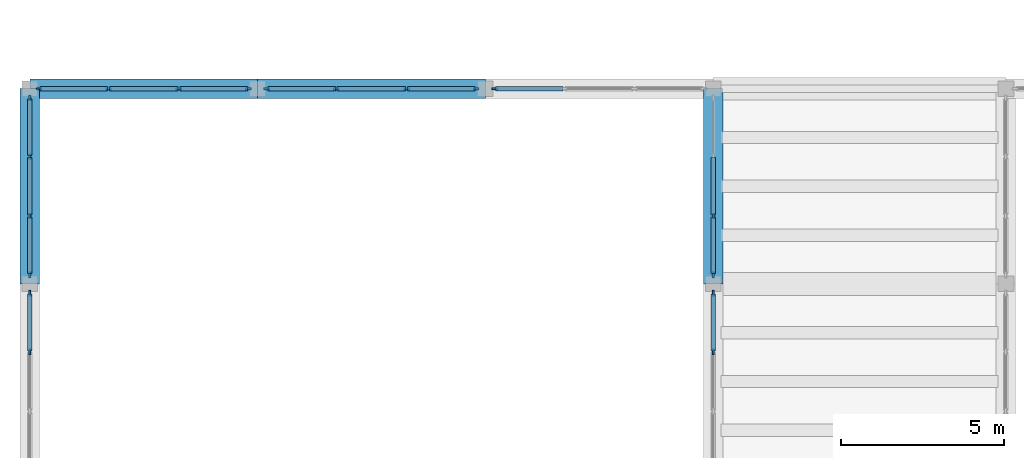
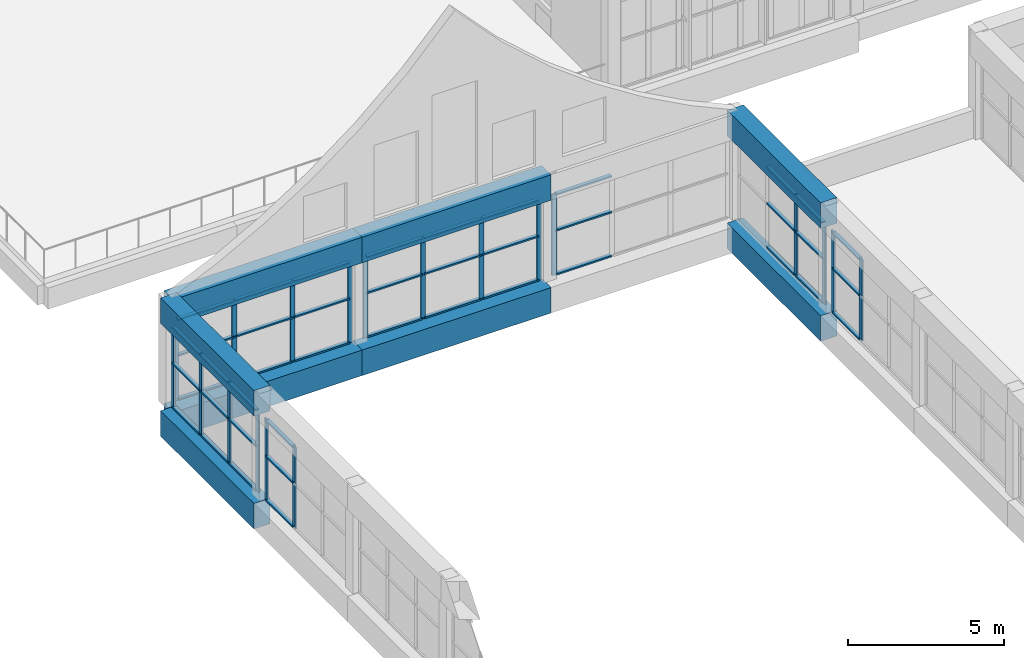
# One storey, part 22 of 70: 61 members, 8 beams, 7 elements without a shape of their own.
"""IFC4 building model written with IfcOpenShell, lengths in metres."""

from ifc_helpers import new_model, si_unit, direction, frame, origin, origin_2d, place, context, subcontext, project, spatial, rectangle, extrude, material, layer, layer_set, material_profile, profile_set, type_object, element, aggregate, save


model = new_model("IFC4")

# Units and contexts
model_context = context("Model", 3, precision=1e-05, world=origin(), true_north=direction((0.0, 1.0)))
body_context = subcontext(model_context, "Body", "Model", "MODEL_VIEW")
ifc_project = project(units=[si_unit("LENGTHUNIT", "METRE"), si_unit("AREAUNIT", "SQUARE_METRE"), si_unit("VOLUMEUNIT", "CUBIC_METRE"), si_unit("PLANEANGLEUNIT", "RADIAN"), si_unit("MASSUNIT", "GRAM", prefix="KILO")], contexts=[model_context])

# Site, building, storey
site_placement = place(None, origin())
site = spatial("IfcSite", under=ifc_project, at=site_placement, CompositionType="ELEMENT")
building_placement = place(site_placement, origin())
building = spatial("IfcBuilding", under=site, at=building_placement, Name="Solvane Community Centre", CompositionType="ELEMENT")
storey_placement = place(building_placement, frame((0.0, 0.0, 9.60009765625)))
storey = spatial("IfcBuildingStorey", under=building, at=storey_placement, Name="L02", CompositionType="ELEMENT", Elevation=9.60009765625)

# Curtain wall, members
ifc_material_1 = material(Name="Anodised bronze aluminium AW-6063 T6", Category="aluminium")
ifc_layer_1 = layer(ifc_material_1, 0.179931640625)
ifc_layer_set_1 = layer_set([ifc_layer_1], Name="Anodised bronze aluminium AW-6063 T6")
curtain_wall_type_1 = type_object("IfcCurtainWallType", Name="Hall Translucent Upper Curtain Wall [55x32dm]", PredefinedType="NOTDEFINED", material=ifc_layer_set_1)
curtain_wall_1_placement = place(storey_placement, origin())
curtain_wall_1 = element("IfcCurtainWall", 1, at=curtain_wall_1_placement, inside=storey, type_object=curtain_wall_type_1, Name="Curtain Wall CW-L02-60_777-166", PredefinedType="NOTDEFINED")
ifc_material_profile_1 = material_profile(ifc_material_1, rectangle(XDim=0.06005859375, YDim=0.179931640625, at=origin_2d()), Name="CW-M 60x180")
ifc_profile_set_1 = profile_set([ifc_material_profile_1], Name="Anodised bronze aluminium AW-6063 T6")
member_type_1 = type_object("IfcMemberType", Name="Hall Mullion 60x180", PredefinedType="MULLION", material=ifc_profile_set_1)
member_1_placement = place(storey_placement, frame((6.0, 77.715087890625, 0.0), z_axis=(0.0, 0.0, 1.0), x_axis=(1.0, 0.0, 0.0)))
member_1 = element("IfcMember", 2, at=member_1_placement, type_object=member_type_1, Name="CW01-55x32 mullion 1", PredefinedType="MULLION", context=body_context, shape_type="SweptSolid", body=[
    extrude(rectangle(XDim=0.06005859375, YDim=0.179931640625, at=origin_2d()), origin(), (0.0, 0.0, 1.0), 3.184814453125),
])
member_2_placement = place(storey_placement, frame((6.0, 75.9150390625, 0.0), z_axis=(0.0, 0.0, 1.0), x_axis=(1.0, 0.0, 0.0)))
member_2 = element("IfcMember", 3, at=member_2_placement, type_object=member_type_1, Name="CW01-55x32 mullion 2", PredefinedType="MULLION", context=body_context, shape_type="SweptSolid", body=[
    extrude(rectangle(XDim=0.06005859375, YDim=0.179931640625, at=origin_2d()), origin(), (0.0, 0.0, 1.0), 3.184814453125),
])
member_3_placement = place(storey_placement, frame((6.0, 74.0849609375, 0.0), z_axis=(0.0, 0.0, 1.0), x_axis=(1.0, 0.0, 0.0)))
member_3 = element("IfcMember", 4, at=member_3_placement, type_object=member_type_1, Name="CW01-55x32 mullion 3", PredefinedType="MULLION", context=body_context, shape_type="SweptSolid", body=[
    extrude(rectangle(XDim=0.06005859375, YDim=0.179931640625, at=origin_2d()), origin(), (0.0, 0.0, 1.0), 3.184814453125),
])
member_4_placement = place(storey_placement, frame((6.0, 72.284912109375, 0.0), z_axis=(0.0, 0.0, 1.0), x_axis=(1.0, 0.0, 0.0)))
member_4 = element("IfcMember", 5, at=member_4_placement, type_object=member_type_1, Name="CW01-55x32 mullion 4", PredefinedType="MULLION", context=body_context, shape_type="SweptSolid", body=[
    extrude(rectangle(XDim=0.06005859375, YDim=0.179931640625, at=origin_2d()), origin(), (0.0, 0.0, 1.0), 3.184814453125),
])

curtain_wall_2_placement = place(storey_placement, origin())
curtain_wall_2 = element("IfcCurtainWall", 6, at=curtain_wall_2_placement, inside=storey, type_object=curtain_wall_type_1, Name="Curtain Wall CW-L02-60_717-167", PredefinedType="NOTDEFINED")
member_5_placement = place(storey_placement, frame((6.0, 71.715087890625, 0.0), z_axis=(0.0, 0.0, 1.0), x_axis=(1.0, 0.0, 0.0)))
member_5 = element("IfcMember", 7, at=member_5_placement, type_object=member_type_1, Name="CW01-55x32 mullion 1", PredefinedType="MULLION", context=body_context, shape_type="SweptSolid", body=[
    extrude(rectangle(XDim=0.06005859375, YDim=0.179931640625, at=origin_2d()), origin(), (0.0, 0.0, 1.0), 3.184814453125),
])
member_6_placement = place(storey_placement, frame((6.0, 69.9150390625, 0.0), z_axis=(0.0, 0.0, 1.0), x_axis=(1.0, 0.0, 0.0)))
member_6 = element("IfcMember", 8, at=member_6_placement, type_object=member_type_1, Name="CW01-55x32 mullion 2", PredefinedType="MULLION", context=body_context, shape_type="SweptSolid", body=[
    extrude(rectangle(XDim=0.06005859375, YDim=0.179931640625, at=origin_2d()), origin(), (0.0, 0.0, 1.0), 3.184814453125),
])

curtain_wall_3_placement = place(storey_placement, origin())
curtain_wall_3 = element("IfcCurtainWall", 9, at=curtain_wall_3_placement, inside=storey, type_object=curtain_wall_type_1, Name="Curtain Wall CW-L02-270_663-176", PredefinedType="NOTDEFINED")
member_7_placement = place(storey_placement, frame((27.0, 69.9150390625, 0.0), z_axis=(0.0, 0.0, 1.0), x_axis=(-1.0, 0.0, 0.0)))
member_7 = element("IfcMember", 10, at=member_7_placement, type_object=member_type_1, Name="CW01-55x32 mullion 3", PredefinedType="MULLION", context=body_context, shape_type="SweptSolid", body=[
    extrude(rectangle(XDim=0.06005859375, YDim=0.179931640625, at=origin_2d()), origin(), (0.0, 0.0, 1.0), 3.184814453125),
])
member_8_placement = place(storey_placement, frame((27.0, 71.715087890625, 0.0), z_axis=(0.0, 0.0, 1.0), x_axis=(-1.0, 0.0, 0.0)))
member_8 = element("IfcMember", 11, at=member_8_placement, type_object=member_type_1, Name="CW01-55x32 mullion 4", PredefinedType="MULLION", context=body_context, shape_type="SweptSolid", body=[
    extrude(rectangle(XDim=0.06005859375, YDim=0.179931640625, at=origin_2d()), origin(), (0.0, 0.0, 1.0), 3.184814453125),
])

curtain_wall_4_placement = place(storey_placement, origin())
curtain_wall_4 = element("IfcCurtainWall", 12, at=curtain_wall_4_placement, inside=storey, type_object=curtain_wall_type_1, Name="Curtain Wall CW-L02-270_723-177", PredefinedType="NOTDEFINED")
member_9_placement = place(storey_placement, frame((27.0, 72.284912109375, 0.0), z_axis=(0.0, 0.0, 1.0), x_axis=(-1.0, 0.0, 0.0)))
member_9 = element("IfcMember", 13, at=member_9_placement, type_object=member_type_1, Name="CW01-55x32 mullion 1", PredefinedType="MULLION", context=body_context, shape_type="SweptSolid", body=[
    extrude(rectangle(XDim=0.06005859375, YDim=0.179931640625, at=origin_2d()), origin(), (0.0, 0.0, 1.0), 3.184814453125),
])
member_10_placement = place(storey_placement, frame((27.0, 74.0849609375, 0.0), z_axis=(0.0, 0.0, 1.0), x_axis=(-1.0, 0.0, 0.0)))
member_10 = element("IfcMember", 14, at=member_10_placement, type_object=member_type_1, Name="CW01-55x32 mullion 2", PredefinedType="MULLION", context=body_context, shape_type="SweptSolid", body=[
    extrude(rectangle(XDim=0.06005859375, YDim=0.179931640625, at=origin_2d()), origin(), (0.0, 0.0, 1.0), 3.184814453125),
])

ifc_layer_2 = layer(ifc_material_1, 0.179931640625)
ifc_layer_set_2 = layer_set([ifc_layer_2], Name="Anodised bronze aluminium AW-6063 T6")
curtain_wall_type_2 = type_object("IfcCurtainWallType", Name="Hall Translucent Upper Curtain Wall [65x32dm]", PredefinedType="NOTDEFINED", material=ifc_layer_set_2)
curtain_wall_5_placement = place(storey_placement, origin())
curtain_wall_5 = element("IfcCurtainWall", 15, at=curtain_wall_5_placement, inside=storey, type_object=curtain_wall_type_2, Name="Curtain Wall CW-L02-63_780-181", PredefinedType="NOTDEFINED")
member_11_placement = place(storey_placement, frame((6.284912109375, 78.0, 0.0), z_axis=(0.0, 0.0, 1.0), x_axis=(0.0, 1.0, 0.0)))
member_11 = element("IfcMember", 16, at=member_11_placement, type_object=member_type_1, Name="CW01-65x32 mullion 1", PredefinedType="MULLION", context=body_context, shape_type="SweptSolid", body=[
    extrude(rectangle(XDim=0.06005859375, YDim=0.179931640625, at=origin_2d()), origin(), (0.0, 0.0, 1.0), 3.184814453125),
])
member_12_placement = place(storey_placement, frame((8.418212890625, 78.0, 0.0), z_axis=(0.0, 0.0, 1.0), x_axis=(0.0, 1.0, 0.0)))
member_12 = element("IfcMember", 17, at=member_12_placement, type_object=member_type_1, Name="CW01-65x32 mullion 2", PredefinedType="MULLION", context=body_context, shape_type="SweptSolid", body=[
    extrude(rectangle(XDim=0.06005859375, YDim=0.179931640625, at=origin_2d()), origin(), (0.0, 0.0, 1.0), 3.184814453125),
])
member_13_placement = place(storey_placement, frame((10.581787109375, 78.0, 0.0), z_axis=(0.0, 0.0, 1.0), x_axis=(0.0, 1.0, 0.0)))
member_13 = element("IfcMember", 18, at=member_13_placement, type_object=member_type_1, Name="CW01-65x32 mullion 3", PredefinedType="MULLION", context=body_context, shape_type="SweptSolid", body=[
    extrude(rectangle(XDim=0.06005859375, YDim=0.179931640625, at=origin_2d()), origin(), (0.0, 0.0, 1.0), 3.184814453125),
])
member_14_placement = place(storey_placement, frame((12.715087890625, 78.0, 0.0), z_axis=(0.0, 0.0, 1.0), x_axis=(0.0, 1.0, 0.0)))
member_14 = element("IfcMember", 19, at=member_14_placement, type_object=member_type_1, Name="CW01-65x32 mullion 4", PredefinedType="MULLION", context=body_context, shape_type="SweptSolid", body=[
    extrude(rectangle(XDim=0.06005859375, YDim=0.179931640625, at=origin_2d()), origin(), (0.0, 0.0, 1.0), 3.184814453125),
])

curtain_wall_6_placement = place(storey_placement, origin())
curtain_wall_6 = element("IfcCurtainWall", 20, at=curtain_wall_6_placement, inside=storey, type_object=curtain_wall_type_2, Name="Curtain Wall CW-L02-133_780-182", PredefinedType="NOTDEFINED")
member_15_placement = place(storey_placement, frame((13.284912109375, 78.0, 0.0), z_axis=(0.0, 0.0, 1.0), x_axis=(0.0, 1.0, 0.0)))
member_15 = element("IfcMember", 21, at=member_15_placement, type_object=member_type_1, Name="CW01-65x32 mullion 1", PredefinedType="MULLION", context=body_context, shape_type="SweptSolid", body=[
    extrude(rectangle(XDim=0.06005859375, YDim=0.179931640625, at=origin_2d()), origin(), (0.0, 0.0, 1.0), 3.184814453125),
])
member_16_placement = place(storey_placement, frame((15.418212890625, 78.0, 0.0), z_axis=(0.0, 0.0, 1.0), x_axis=(0.0, 1.0, 0.0)))
member_16 = element("IfcMember", 22, at=member_16_placement, type_object=member_type_1, Name="CW01-65x32 mullion 2", PredefinedType="MULLION", context=body_context, shape_type="SweptSolid", body=[
    extrude(rectangle(XDim=0.06005859375, YDim=0.179931640625, at=origin_2d()), origin(), (0.0, 0.0, 1.0), 3.184814453125),
])
member_17_placement = place(storey_placement, frame((17.581787109375, 78.0, 0.0), z_axis=(0.0, 0.0, 1.0), x_axis=(0.0, 1.0, 0.0)))
member_17 = element("IfcMember", 23, at=member_17_placement, type_object=member_type_1, Name="CW01-65x32 mullion 3", PredefinedType="MULLION", context=body_context, shape_type="SweptSolid", body=[
    extrude(rectangle(XDim=0.06005859375, YDim=0.179931640625, at=origin_2d()), origin(), (0.0, 0.0, 1.0), 3.184814453125),
])
member_18_placement = place(storey_placement, frame((19.715087890625, 78.0, 0.0), z_axis=(0.0, 0.0, 1.0), x_axis=(0.0, 1.0, 0.0)))
member_18 = element("IfcMember", 24, at=member_18_placement, type_object=member_type_1, Name="CW01-65x32 mullion 4", PredefinedType="MULLION", context=body_context, shape_type="SweptSolid", body=[
    extrude(rectangle(XDim=0.06005859375, YDim=0.179931640625, at=origin_2d()), origin(), (0.0, 0.0, 1.0), 3.184814453125),
])

# Curtain wall, member
curtain_wall_7_placement = place(storey_placement, origin())
curtain_wall_7 = element("IfcCurtainWall", 25, at=curtain_wall_7_placement, inside=storey, type_object=curtain_wall_type_2, Name="Curtain Wall CW-L02-203_780-183", PredefinedType="NOTDEFINED")
member_19_placement = place(storey_placement, frame((20.284912109375, 78.0, 0.0), z_axis=(0.0, 0.0, 1.0), x_axis=(0.0, 1.0, 0.0)))
member_19 = element("IfcMember", 26, at=member_19_placement, type_object=member_type_1, Name="CW01-65x32 mullion 1", PredefinedType="MULLION", context=body_context, shape_type="SweptSolid", body=[
    extrude(rectangle(XDim=0.06005859375, YDim=0.179931640625, at=origin_2d()), origin(), (0.0, 0.0, 1.0), 3.184814453125),
])

# Member
ifc_material_profile_2 = material_profile(ifc_material_1, rectangle(XDim=0.139892578125, YDim=0.06005859375, at=origin_2d()), Name="CW-T 60x140")
ifc_profile_set_2 = profile_set([ifc_material_profile_2], Name="Anodised bronze aluminium AW-6063 T6")
member_type_2 = type_object("IfcMemberType", Name="Hall Transom 60x140", PredefinedType="USERDEFINED", material=ifc_profile_set_2)
member_20_placement = place(storey_placement, frame((6.0, 77.68505859375, 0.02978515625), z_axis=(0.0, -1.0, 0.0), x_axis=(1.0, 0.0, 0.0)))
member_20 = element("IfcMember", 27, at=member_20_placement, type_object=member_type_2, Name="CW01-55x32 transom 1.1", ObjectType="TRANSOM", PredefinedType="USERDEFINED", context=body_context, shape_type="SweptSolid", body=[
    extrude(rectangle(XDim=0.139892578125, YDim=0.06005859375, at=origin_2d()), origin(), (0.0, 0.0, 1.0), 1.739990234375),
])

member_21_placement = place(storey_placement, frame((6.0, 77.68505859375, 1.751953125), z_axis=(0.0, -1.0, 0.0), x_axis=(1.0, 0.0, 0.0)))
member_21 = element("IfcMember", 28, at=member_21_placement, type_object=member_type_2, Name="CW01-55x32 transom 1.2", ObjectType="TRANSOM", PredefinedType="USERDEFINED", context=body_context, shape_type="SweptSolid", body=[
    extrude(rectangle(XDim=0.139892578125, YDim=0.06005859375, at=origin_2d()), origin(), (0.0, 0.0, 1.0), 1.739990234375),
])

member_22_placement = place(storey_placement, frame((6.0, 77.68505859375, 3.15478515625), z_axis=(0.0, -1.0, 0.0), x_axis=(1.0, 0.0, 0.0)))
member_22 = element("IfcMember", 29, at=member_22_placement, type_object=member_type_2, Name="CW01-55x32 transom 1.3", ObjectType="TRANSOM", PredefinedType="USERDEFINED", context=body_context, shape_type="SweptSolid", body=[
    extrude(rectangle(XDim=0.139892578125, YDim=0.06005859375, at=origin_2d()), origin(), (0.0, 0.0, 1.0), 1.739990234375),
])

member_23_placement = place(storey_placement, frame((6.0, 75.885009765625, 0.02978515625), z_axis=(0.0, -1.0, 0.0), x_axis=(1.0, 0.0, 0.0)))
member_23 = element("IfcMember", 30, at=member_23_placement, type_object=member_type_2, Name="CW01-55x32 transom 2.1", ObjectType="TRANSOM", PredefinedType="USERDEFINED", context=body_context, shape_type="SweptSolid", body=[
    extrude(rectangle(XDim=0.139892578125, YDim=0.06005859375, at=origin_2d()), origin(), (0.0, 0.0, 1.0), 1.77001953125),
])

member_24_placement = place(storey_placement, frame((6.0, 75.885009765625, 1.751953125), z_axis=(0.0, -1.0, 0.0), x_axis=(1.0, 0.0, 0.0)))
member_24 = element("IfcMember", 31, at=member_24_placement, type_object=member_type_2, Name="CW01-55x32 transom 2.2", ObjectType="TRANSOM", PredefinedType="USERDEFINED", context=body_context, shape_type="SweptSolid", body=[
    extrude(rectangle(XDim=0.139892578125, YDim=0.06005859375, at=origin_2d()), origin(), (0.0, 0.0, 1.0), 1.77001953125),
])

member_25_placement = place(storey_placement, frame((6.0, 75.885009765625, 3.15478515625), z_axis=(0.0, -1.0, 0.0), x_axis=(1.0, 0.0, 0.0)))
member_25 = element("IfcMember", 32, at=member_25_placement, type_object=member_type_2, Name="CW01-55x32 transom 2.3", ObjectType="TRANSOM", PredefinedType="USERDEFINED", context=body_context, shape_type="SweptSolid", body=[
    extrude(rectangle(XDim=0.139892578125, YDim=0.06005859375, at=origin_2d()), origin(), (0.0, 0.0, 1.0), 1.77001953125),
])

member_26_placement = place(storey_placement, frame((6.0, 74.054931640625, 0.02978515625), z_axis=(0.0, -1.0, 0.0), x_axis=(1.0, 0.0, 0.0)))
member_26 = element("IfcMember", 33, at=member_26_placement, type_object=member_type_2, Name="CW01-55x32 transom 3.1", ObjectType="TRANSOM", PredefinedType="USERDEFINED", context=body_context, shape_type="SweptSolid", body=[
    extrude(rectangle(XDim=0.139892578125, YDim=0.06005859375, at=origin_2d()), origin(), (0.0, 0.0, 1.0), 1.739990234375),
])

member_27_placement = place(storey_placement, frame((6.0, 74.054931640625, 1.751953125), z_axis=(0.0, -1.0, 0.0), x_axis=(1.0, 0.0, 0.0)))
member_27 = element("IfcMember", 34, at=member_27_placement, type_object=member_type_2, Name="CW01-55x32 transom 3.2", ObjectType="TRANSOM", PredefinedType="USERDEFINED", context=body_context, shape_type="SweptSolid", body=[
    extrude(rectangle(XDim=0.139892578125, YDim=0.06005859375, at=origin_2d()), origin(), (0.0, 0.0, 1.0), 1.739990234375),
])

member_28_placement = place(storey_placement, frame((6.0, 74.054931640625, 3.15478515625), z_axis=(0.0, -1.0, 0.0), x_axis=(1.0, 0.0, 0.0)))
member_28 = element("IfcMember", 35, at=member_28_placement, type_object=member_type_2, Name="CW01-55x32 transom 3.3", ObjectType="TRANSOM", PredefinedType="USERDEFINED", context=body_context, shape_type="SweptSolid", body=[
    extrude(rectangle(XDim=0.139892578125, YDim=0.06005859375, at=origin_2d()), origin(), (0.0, 0.0, 1.0), 1.739990234375),
])

aggregate(curtain_wall_1, [member_1, member_2, member_3, member_4, member_20, member_21, member_22, member_23, member_24, member_25, member_26, member_27, member_28])

member_29_placement = place(storey_placement, frame((6.0, 71.68505859375, 0.02978515625), z_axis=(0.0, -1.0, 0.0), x_axis=(1.0, 0.0, 0.0)))
member_29 = element("IfcMember", 36, at=member_29_placement, type_object=member_type_2, Name="CW01-55x32 transom 1.1", ObjectType="TRANSOM", PredefinedType="USERDEFINED", context=body_context, shape_type="SweptSolid", body=[
    extrude(rectangle(XDim=0.139892578125, YDim=0.06005859375, at=origin_2d()), origin(), (0.0, 0.0, 1.0), 1.739990234375),
])

member_30_placement = place(storey_placement, frame((6.0, 71.68505859375, 1.751953125), z_axis=(0.0, -1.0, 0.0), x_axis=(1.0, 0.0, 0.0)))
member_30 = element("IfcMember", 37, at=member_30_placement, type_object=member_type_2, Name="CW01-55x32 transom 1.2", ObjectType="TRANSOM", PredefinedType="USERDEFINED", context=body_context, shape_type="SweptSolid", body=[
    extrude(rectangle(XDim=0.139892578125, YDim=0.06005859375, at=origin_2d()), origin(), (0.0, 0.0, 1.0), 1.739990234375),
])

member_31_placement = place(storey_placement, frame((6.0, 71.68505859375, 3.15478515625), z_axis=(0.0, -1.0, 0.0), x_axis=(1.0, 0.0, 0.0)))
member_31 = element("IfcMember", 38, at=member_31_placement, type_object=member_type_2, Name="CW01-55x32 transom 1.3", ObjectType="TRANSOM", PredefinedType="USERDEFINED", context=body_context, shape_type="SweptSolid", body=[
    extrude(rectangle(XDim=0.139892578125, YDim=0.06005859375, at=origin_2d()), origin(), (0.0, 0.0, 1.0), 1.739990234375),
])

aggregate(curtain_wall_2, [member_5, member_6, member_29, member_30, member_31])

member_32_placement = place(storey_placement, frame((27.0, 69.945068359375, 0.02978515625), z_axis=(0.0, 1.0, 0.0), x_axis=(-1.0, 0.0, 0.0)))
member_32 = element("IfcMember", 39, at=member_32_placement, type_object=member_type_2, Name="CW01-55x32 transom 3.1", ObjectType="TRANSOM", PredefinedType="USERDEFINED", context=body_context, shape_type="SweptSolid", body=[
    extrude(rectangle(XDim=0.139892578125, YDim=0.06005859375, at=origin_2d()), origin(), (0.0, 0.0, 1.0), 1.739990234375),
])

member_33_placement = place(storey_placement, frame((27.0, 69.945068359375, 1.751953125), z_axis=(0.0, 1.0, 0.0), x_axis=(-1.0, 0.0, 0.0)))
member_33 = element("IfcMember", 40, at=member_33_placement, type_object=member_type_2, Name="CW01-55x32 transom 3.2", ObjectType="TRANSOM", PredefinedType="USERDEFINED", context=body_context, shape_type="SweptSolid", body=[
    extrude(rectangle(XDim=0.139892578125, YDim=0.06005859375, at=origin_2d()), origin(), (0.0, 0.0, 1.0), 1.739990234375),
])

member_34_placement = place(storey_placement, frame((27.0, 69.945068359375, 3.15478515625), z_axis=(0.0, 1.0, 0.0), x_axis=(-1.0, 0.0, 0.0)))
member_34 = element("IfcMember", 41, at=member_34_placement, type_object=member_type_2, Name="CW01-55x32 transom 3.3", ObjectType="TRANSOM", PredefinedType="USERDEFINED", context=body_context, shape_type="SweptSolid", body=[
    extrude(rectangle(XDim=0.139892578125, YDim=0.06005859375, at=origin_2d()), origin(), (0.0, 0.0, 1.0), 1.739990234375),
])

aggregate(curtain_wall_3, [member_7, member_8, member_32, member_33, member_34])

member_35_placement = place(storey_placement, frame((27.0, 72.31494140625, 0.02978515625), z_axis=(0.0, 1.0, 0.0), x_axis=(-1.0, 0.0, 0.0)))
member_35 = element("IfcMember", 42, at=member_35_placement, type_object=member_type_2, Name="CW01-55x32 transom 1.1", ObjectType="TRANSOM", PredefinedType="USERDEFINED", context=body_context, shape_type="SweptSolid", body=[
    extrude(rectangle(XDim=0.139892578125, YDim=0.06005859375, at=origin_2d()), origin(), (0.0, 0.0, 1.0), 1.739990234375),
])

member_36_placement = place(storey_placement, frame((27.0, 72.31494140625, 1.751953125), z_axis=(0.0, 1.0, 0.0), x_axis=(-1.0, 0.0, 0.0)))
member_36 = element("IfcMember", 43, at=member_36_placement, type_object=member_type_2, Name="CW01-55x32 transom 1.2", ObjectType="TRANSOM", PredefinedType="USERDEFINED", context=body_context, shape_type="SweptSolid", body=[
    extrude(rectangle(XDim=0.139892578125, YDim=0.06005859375, at=origin_2d()), origin(), (0.0, 0.0, 1.0), 1.739990234375),
])

member_37_placement = place(storey_placement, frame((27.0, 72.31494140625, 3.15478515625), z_axis=(0.0, 1.0, 0.0), x_axis=(-1.0, 0.0, 0.0)))
member_37 = element("IfcMember", 44, at=member_37_placement, type_object=member_type_2, Name="CW01-55x32 transom 1.3", ObjectType="TRANSOM", PredefinedType="USERDEFINED", context=body_context, shape_type="SweptSolid", body=[
    extrude(rectangle(XDim=0.139892578125, YDim=0.06005859375, at=origin_2d()), origin(), (0.0, 0.0, 1.0), 1.739990234375),
])

member_38_placement = place(storey_placement, frame((27.0, 74.114990234375, 0.02978515625), z_axis=(0.0, 1.0, 0.0), x_axis=(-1.0, 0.0, 0.0)))
member_38 = element("IfcMember", 45, at=member_38_placement, type_object=member_type_2, Name="CW01-55x32 transom 2.1", ObjectType="TRANSOM", PredefinedType="USERDEFINED", context=body_context, shape_type="SweptSolid", body=[
    extrude(rectangle(XDim=0.139892578125, YDim=0.06005859375, at=origin_2d()), origin(), (0.0, 0.0, 1.0), 1.77001953125),
])

member_39_placement = place(storey_placement, frame((27.0, 74.114990234375, 1.751953125), z_axis=(0.0, 1.0, 0.0), x_axis=(-1.0, 0.0, 0.0)))
member_39 = element("IfcMember", 46, at=member_39_placement, type_object=member_type_2, Name="CW01-55x32 transom 2.2", ObjectType="TRANSOM", PredefinedType="USERDEFINED", context=body_context, shape_type="SweptSolid", body=[
    extrude(rectangle(XDim=0.139892578125, YDim=0.06005859375, at=origin_2d()), origin(), (0.0, 0.0, 1.0), 1.77001953125),
])

member_40_placement = place(storey_placement, frame((27.0, 74.114990234375, 3.15478515625), z_axis=(0.0, 1.0, 0.0), x_axis=(-1.0, 0.0, 0.0)))
member_40 = element("IfcMember", 47, at=member_40_placement, type_object=member_type_2, Name="CW01-55x32 transom 2.3", ObjectType="TRANSOM", PredefinedType="USERDEFINED", context=body_context, shape_type="SweptSolid", body=[
    extrude(rectangle(XDim=0.139892578125, YDim=0.06005859375, at=origin_2d()), origin(), (0.0, 0.0, 1.0), 1.77001953125),
])

aggregate(curtain_wall_4, [member_9, member_10, member_35, member_36, member_37, member_38, member_39, member_40])

member_41_placement = place(storey_placement, frame((6.31494140625, 78.0, 0.02978515625), z_axis=(1.0, 0.0, 0.0), x_axis=(0.0, 1.0, 0.0)))
member_41 = element("IfcMember", 48, at=member_41_placement, type_object=member_type_2, Name="CW01-65x32 transom 1.1", ObjectType="TRANSOM", PredefinedType="USERDEFINED", context=body_context, shape_type="SweptSolid", body=[
    extrude(rectangle(XDim=0.139892578125, YDim=0.06005859375, at=origin_2d()), origin(), (0.0, 0.0, 1.0), 2.073486328125),
])

member_42_placement = place(storey_placement, frame((6.31494140625, 78.0, 1.751953125), z_axis=(1.0, 0.0, 0.0), x_axis=(0.0, 1.0, 0.0)))
member_42 = element("IfcMember", 49, at=member_42_placement, type_object=member_type_2, Name="CW01-65x32 transom 1.2", ObjectType="TRANSOM", PredefinedType="USERDEFINED", context=body_context, shape_type="SweptSolid", body=[
    extrude(rectangle(XDim=0.139892578125, YDim=0.06005859375, at=origin_2d()), origin(), (0.0, 0.0, 1.0), 2.073486328125),
])

member_43_placement = place(storey_placement, frame((6.31494140625, 78.0, 3.15478515625), z_axis=(1.0, 0.0, 0.0), x_axis=(0.0, 1.0, 0.0)))
member_43 = element("IfcMember", 50, at=member_43_placement, type_object=member_type_2, Name="CW01-65x32 transom 1.3", ObjectType="TRANSOM", PredefinedType="USERDEFINED", context=body_context, shape_type="SweptSolid", body=[
    extrude(rectangle(XDim=0.139892578125, YDim=0.06005859375, at=origin_2d()), origin(), (0.0, 0.0, 1.0), 2.073486328125),
])

member_44_placement = place(storey_placement, frame((8.4482421875, 78.0, 0.02978515625), z_axis=(1.0, 0.0, 0.0), x_axis=(0.0, 1.0, 0.0)))
member_44 = element("IfcMember", 51, at=member_44_placement, type_object=member_type_2, Name="CW01-65x32 transom 2.1", ObjectType="TRANSOM", PredefinedType="USERDEFINED", context=body_context, shape_type="SweptSolid", body=[
    extrude(rectangle(XDim=0.139892578125, YDim=0.06005859375, at=origin_2d()), origin(), (0.0, 0.0, 1.0), 2.103515625),
])

member_45_placement = place(storey_placement, frame((8.4482421875, 78.0, 1.751953125), z_axis=(1.0, 0.0, 0.0), x_axis=(0.0, 1.0, 0.0)))
member_45 = element("IfcMember", 52, at=member_45_placement, type_object=member_type_2, Name="CW01-65x32 transom 2.2", ObjectType="TRANSOM", PredefinedType="USERDEFINED", context=body_context, shape_type="SweptSolid", body=[
    extrude(rectangle(XDim=0.139892578125, YDim=0.06005859375, at=origin_2d()), origin(), (0.0, 0.0, 1.0), 2.103515625),
])

member_46_placement = place(storey_placement, frame((8.4482421875, 78.0, 3.15478515625), z_axis=(1.0, 0.0, 0.0), x_axis=(0.0, 1.0, 0.0)))
member_46 = element("IfcMember", 53, at=member_46_placement, type_object=member_type_2, Name="CW01-65x32 transom 2.3", ObjectType="TRANSOM", PredefinedType="USERDEFINED", context=body_context, shape_type="SweptSolid", body=[
    extrude(rectangle(XDim=0.139892578125, YDim=0.06005859375, at=origin_2d()), origin(), (0.0, 0.0, 1.0), 2.103515625),
])

member_47_placement = place(storey_placement, frame((10.611572265625, 78.0, 0.02978515625), z_axis=(1.0, 0.0, 0.0), x_axis=(0.0, 1.0, 0.0)))
member_47 = element("IfcMember", 54, at=member_47_placement, type_object=member_type_2, Name="CW01-65x32 transom 3.1", ObjectType="TRANSOM", PredefinedType="USERDEFINED", context=body_context, shape_type="SweptSolid", body=[
    extrude(rectangle(XDim=0.139892578125, YDim=0.06005859375, at=origin_2d()), origin(), (0.0, 0.0, 1.0), 2.073486328125),
])

member_48_placement = place(storey_placement, frame((10.611572265625, 78.0, 1.751953125), z_axis=(1.0, 0.0, 0.0), x_axis=(0.0, 1.0, 0.0)))
member_48 = element("IfcMember", 55, at=member_48_placement, type_object=member_type_2, Name="CW01-65x32 transom 3.2", ObjectType="TRANSOM", PredefinedType="USERDEFINED", context=body_context, shape_type="SweptSolid", body=[
    extrude(rectangle(XDim=0.139892578125, YDim=0.06005859375, at=origin_2d()), origin(), (0.0, 0.0, 1.0), 2.073486328125),
])

member_49_placement = place(storey_placement, frame((10.611572265625, 78.0, 3.15478515625), z_axis=(1.0, 0.0, 0.0), x_axis=(0.0, 1.0, 0.0)))
member_49 = element("IfcMember", 56, at=member_49_placement, type_object=member_type_2, Name="CW01-65x32 transom 3.3", ObjectType="TRANSOM", PredefinedType="USERDEFINED", context=body_context, shape_type="SweptSolid", body=[
    extrude(rectangle(XDim=0.139892578125, YDim=0.06005859375, at=origin_2d()), origin(), (0.0, 0.0, 1.0), 2.073486328125),
])

aggregate(curtain_wall_5, [member_11, member_12, member_13, member_14, member_41, member_42, member_43, member_44, member_45, member_46, member_47, member_48, member_49])

member_50_placement = place(storey_placement, frame((13.31494140625, 78.0, 0.02978515625), z_axis=(1.0, 0.0, 0.0), x_axis=(0.0, 1.0, 0.0)))
member_50 = element("IfcMember", 57, at=member_50_placement, type_object=member_type_2, Name="CW01-65x32 transom 1.1", ObjectType="TRANSOM", PredefinedType="USERDEFINED", context=body_context, shape_type="SweptSolid", body=[
    extrude(rectangle(XDim=0.139892578125, YDim=0.06005859375, at=origin_2d()), origin(), (0.0, 0.0, 1.0), 2.073486328125),
])

member_51_placement = place(storey_placement, frame((13.31494140625, 78.0, 1.751953125), z_axis=(1.0, 0.0, 0.0), x_axis=(0.0, 1.0, 0.0)))
member_51 = element("IfcMember", 58, at=member_51_placement, type_object=member_type_2, Name="CW01-65x32 transom 1.2", ObjectType="TRANSOM", PredefinedType="USERDEFINED", context=body_context, shape_type="SweptSolid", body=[
    extrude(rectangle(XDim=0.139892578125, YDim=0.06005859375, at=origin_2d()), origin(), (0.0, 0.0, 1.0), 2.073486328125),
])

member_52_placement = place(storey_placement, frame((13.31494140625, 78.0, 3.15478515625), z_axis=(1.0, 0.0, 0.0), x_axis=(0.0, 1.0, 0.0)))
member_52 = element("IfcMember", 59, at=member_52_placement, type_object=member_type_2, Name="CW01-65x32 transom 1.3", ObjectType="TRANSOM", PredefinedType="USERDEFINED", context=body_context, shape_type="SweptSolid", body=[
    extrude(rectangle(XDim=0.139892578125, YDim=0.06005859375, at=origin_2d()), origin(), (0.0, 0.0, 1.0), 2.073486328125),
])

member_53_placement = place(storey_placement, frame((15.4482421875, 78.0, 0.02978515625), z_axis=(1.0, 0.0, 0.0), x_axis=(0.0, 1.0, 0.0)))
member_53 = element("IfcMember", 60, at=member_53_placement, type_object=member_type_2, Name="CW01-65x32 transom 2.1", ObjectType="TRANSOM", PredefinedType="USERDEFINED", context=body_context, shape_type="SweptSolid", body=[
    extrude(rectangle(XDim=0.139892578125, YDim=0.06005859375, at=origin_2d()), origin(), (0.0, 0.0, 1.0), 2.103515625),
])

member_54_placement = place(storey_placement, frame((15.4482421875, 78.0, 1.751953125), z_axis=(1.0, 0.0, 0.0), x_axis=(0.0, 1.0, 0.0)))
member_54 = element("IfcMember", 61, at=member_54_placement, type_object=member_type_2, Name="CW01-65x32 transom 2.2", ObjectType="TRANSOM", PredefinedType="USERDEFINED", context=body_context, shape_type="SweptSolid", body=[
    extrude(rectangle(XDim=0.139892578125, YDim=0.06005859375, at=origin_2d()), origin(), (0.0, 0.0, 1.0), 2.103515625),
])

member_55_placement = place(storey_placement, frame((15.4482421875, 78.0, 3.15478515625), z_axis=(1.0, 0.0, 0.0), x_axis=(0.0, 1.0, 0.0)))
member_55 = element("IfcMember", 62, at=member_55_placement, type_object=member_type_2, Name="CW01-65x32 transom 2.3", ObjectType="TRANSOM", PredefinedType="USERDEFINED", context=body_context, shape_type="SweptSolid", body=[
    extrude(rectangle(XDim=0.139892578125, YDim=0.06005859375, at=origin_2d()), origin(), (0.0, 0.0, 1.0), 2.103515625),
])

member_56_placement = place(storey_placement, frame((17.611572265625, 78.0, 0.02978515625), z_axis=(1.0, 0.0, 0.0), x_axis=(0.0, 1.0, 0.0)))
member_56 = element("IfcMember", 63, at=member_56_placement, type_object=member_type_2, Name="CW01-65x32 transom 3.1", ObjectType="TRANSOM", PredefinedType="USERDEFINED", context=body_context, shape_type="SweptSolid", body=[
    extrude(rectangle(XDim=0.139892578125, YDim=0.06005859375, at=origin_2d()), origin(), (0.0, 0.0, 1.0), 2.073486328125),
])

member_57_placement = place(storey_placement, frame((17.611572265625, 78.0, 1.751953125), z_axis=(1.0, 0.0, 0.0), x_axis=(0.0, 1.0, 0.0)))
member_57 = element("IfcMember", 64, at=member_57_placement, type_object=member_type_2, Name="CW01-65x32 transom 3.2", ObjectType="TRANSOM", PredefinedType="USERDEFINED", context=body_context, shape_type="SweptSolid", body=[
    extrude(rectangle(XDim=0.139892578125, YDim=0.06005859375, at=origin_2d()), origin(), (0.0, 0.0, 1.0), 2.073486328125),
])

member_58_placement = place(storey_placement, frame((17.611572265625, 78.0, 3.15478515625), z_axis=(1.0, 0.0, 0.0), x_axis=(0.0, 1.0, 0.0)))
member_58 = element("IfcMember", 65, at=member_58_placement, type_object=member_type_2, Name="CW01-65x32 transom 3.3", ObjectType="TRANSOM", PredefinedType="USERDEFINED", context=body_context, shape_type="SweptSolid", body=[
    extrude(rectangle(XDim=0.139892578125, YDim=0.06005859375, at=origin_2d()), origin(), (0.0, 0.0, 1.0), 2.073486328125),
])

aggregate(curtain_wall_6, [member_15, member_16, member_17, member_18, member_50, member_51, member_52, member_53, member_54, member_55, member_56, member_57, member_58])

member_59_placement = place(storey_placement, frame((20.31494140625, 78.0, 0.02978515625), z_axis=(1.0, 0.0, 0.0), x_axis=(0.0, 1.0, 0.0)))
member_59 = element("IfcMember", 66, at=member_59_placement, type_object=member_type_2, Name="CW01-65x32 transom 1.1", ObjectType="TRANSOM", PredefinedType="USERDEFINED", context=body_context, shape_type="SweptSolid", body=[
    extrude(rectangle(XDim=0.139892578125, YDim=0.06005859375, at=origin_2d()), origin(), (0.0, 0.0, 1.0), 2.073486328125),
])

member_60_placement = place(storey_placement, frame((20.31494140625, 78.0, 1.751953125), z_axis=(1.0, 0.0, 0.0), x_axis=(0.0, 1.0, 0.0)))
member_60 = element("IfcMember", 67, at=member_60_placement, type_object=member_type_2, Name="CW01-65x32 transom 1.2", ObjectType="TRANSOM", PredefinedType="USERDEFINED", context=body_context, shape_type="SweptSolid", body=[
    extrude(rectangle(XDim=0.139892578125, YDim=0.06005859375, at=origin_2d()), origin(), (0.0, 0.0, 1.0), 2.073486328125),
])

member_61_placement = place(storey_placement, frame((20.31494140625, 78.0, 3.15478515625), z_axis=(1.0, 0.0, 0.0), x_axis=(0.0, 1.0, 0.0)))
member_61 = element("IfcMember", 68, at=member_61_placement, type_object=member_type_2, Name="CW01-65x32 transom 1.3", ObjectType="TRANSOM", PredefinedType="USERDEFINED", context=body_context, shape_type="SweptSolid", body=[
    extrude(rectangle(XDim=0.139892578125, YDim=0.06005859375, at=origin_2d()), origin(), (0.0, 0.0, 1.0), 2.073486328125),
])

aggregate(curtain_wall_7, [member_19, member_59, member_60, member_61])

# Beams
ifc_material_2 = material(Name="Concrete C35/45", Category="concrete")
ifc_material_profile_3 = material_profile(ifc_material_2, rectangle(XDim=0.60009765625, YDim=1.0, at=origin_2d()), Name="RC 600x1000")
ifc_profile_set_3 = profile_set([ifc_material_profile_3], Name="Concrete C35/45")
beam_type = type_object("IfcBeamType", Name="RC Vault Thrust Ring Girder 600x1000", PredefinedType="USERDEFINED", material=ifc_profile_set_3)
for number, where, z_axis, x_axis, name in (
    (69, (6.0, 78.0, -0.72021484375), (1.0, 0.0, 0.0), (0.0, 1.0, 0.0), "Beam BM-L02-60_780-130_780"),
    (70, (13.0, 78.0, -0.72021484375), (1.0, 0.0, 0.0), (0.0, 1.0, 0.0), "Beam BM-L02-130_780-200_780"),
):
    element("IfcBeam", number, at=place(storey_placement, frame(where, z_axis=z_axis, x_axis=x_axis)), inside=storey, type_object=beam_type, Name=name, ObjectType="GIRDER", PredefinedType="USERDEFINED", context=body_context, shape_type="SweptSolid", body=[
        extrude(rectangle(XDim=0.60009765625, YDim=1.0, at=origin_2d()), origin(), (0.0, 0.0, 1.0), 7.0),
    ])
for number, where, z_axis, x_axis, name in (
    (71, (6.0, 72.0, -0.72021484375), (0.0, 1.0, 0.0), (-1.0, 0.0, 0.0), "Beam BM-L02-60_720-60_780"),
    (72, (27.0, 72.0, -0.72021484375), (0.0, 1.0, 0.0), (-1.0, 0.0, 0.0), "Beam BM-L02-270_720-270_780"),
    (73, (6.0, 72.0, 3.699951171875), (0.0, 1.0, 0.0), (-1.0, 0.0, 0.0), "Beam BM-L02-60_720-60_780-1492"),
    (74, (27.0, 72.0, 3.699951171875), (0.0, 1.0, 0.0), (-1.0, 0.0, 0.0), "Beam BM-L02-270_720-270_780-1498"),
):
    element("IfcBeam", number, at=place(storey_placement, frame(where, z_axis=z_axis, x_axis=x_axis)), inside=storey, type_object=beam_type, Name=name, ObjectType="GIRDER", PredefinedType="USERDEFINED", context=body_context, shape_type="SweptSolid", body=[
        extrude(rectangle(XDim=0.60009765625, YDim=1.0, at=origin_2d()), origin(), (0.0, 0.0, 1.0), 6.0),
    ])
for number, where, z_axis, x_axis, name in (
    (75, (6.0, 78.0, 3.699951171875), (1.0, 0.0, 0.0), (0.0, 1.0, 0.0), "Beam BM-L02-60_780-130_780-1502"),
    (76, (13.0, 78.0, 3.699951171875), (1.0, 0.0, 0.0), (0.0, 1.0, 0.0), "Beam BM-L02-130_780-200_780-1503"),
):
    element("IfcBeam", number, at=place(storey_placement, frame(where, z_axis=z_axis, x_axis=x_axis)), inside=storey, type_object=beam_type, Name=name, ObjectType="GIRDER", PredefinedType="USERDEFINED", context=body_context, shape_type="SweptSolid", body=[
        extrude(rectangle(XDim=0.60009765625, YDim=1.0, at=origin_2d()), origin(), (0.0, 0.0, 1.0), 7.0),
    ])

save(model, "model.ifc")
